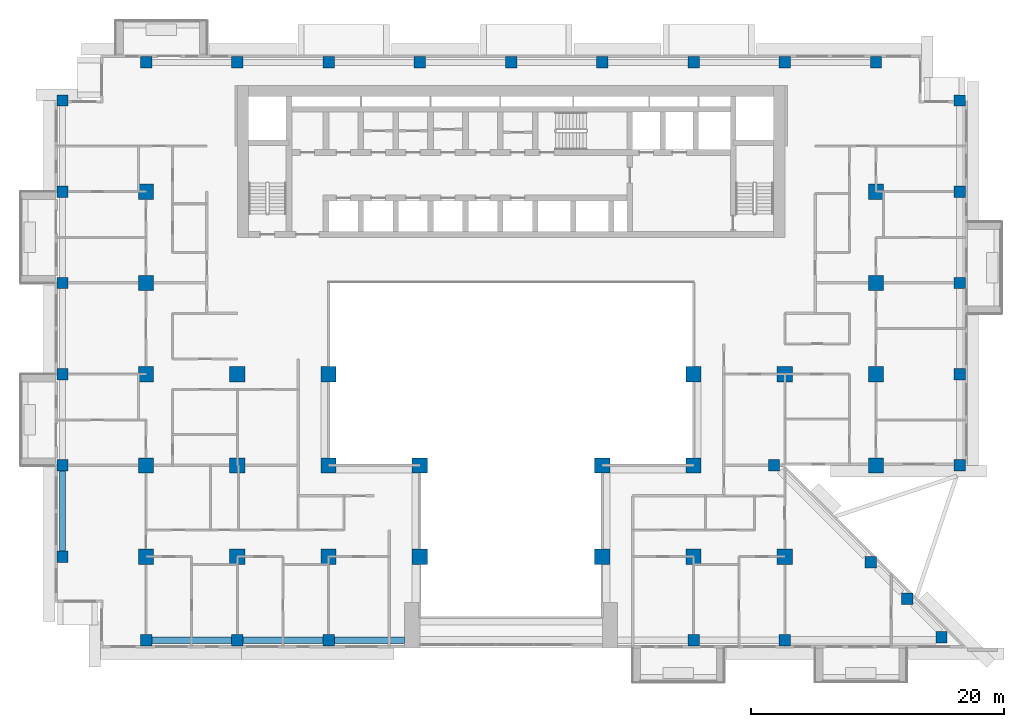
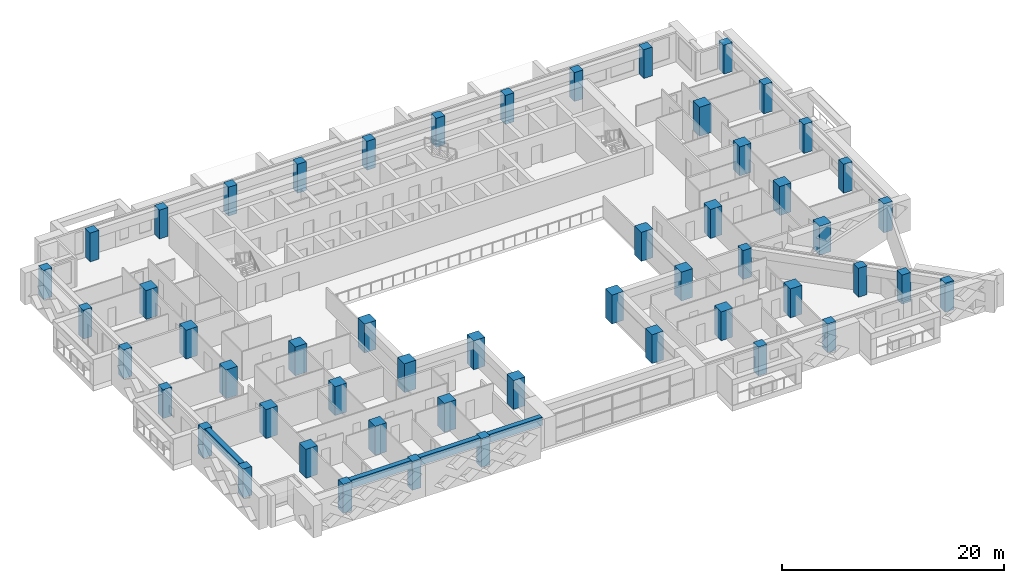
# One storey, part 1 of 17: 53 columns, 4 beams.
"""IFC4 building model written with IfcOpenShell, lengths in metres."""

from ifc_helpers import new_model, si_unit, direction, frame, origin, origin_2d, place, context, subcontext, project, spatial, rectangle, extrude, source, transform, mapped, material, material_profile, profile_set, type_object, element, save


model = new_model("IFC4")

# Units and contexts
model_context = context("Model", 3, precision=1e-05, world=origin(), true_north=direction((0.0, 1.0)))
body_context = subcontext(model_context, "Body", "Model", "MODEL_VIEW")
ifc_project = project(units=[si_unit("LENGTHUNIT", "METRE"), si_unit("AREAUNIT", "SQUARE_METRE"), si_unit("VOLUMEUNIT", "CUBIC_METRE"), si_unit("PLANEANGLEUNIT", "RADIAN"), si_unit("MASSUNIT", "GRAM", prefix="KILO")], contexts=[model_context])

# Site, building, storey
site_placement = place(None, origin())
site = spatial("IfcSite", under=ifc_project, at=site_placement, CompositionType="ELEMENT")
building_placement = place(site_placement, origin())
building = spatial("IfcBuilding", under=site, at=building_placement, Name="Saffron Iwan Residences", CompositionType="ELEMENT")
storey_placement = place(building_placement, frame((0.0, 0.0, 100.5)))
storey = spatial("IfcBuildingStorey", under=building, at=storey_placement, Name="L26", CompositionType="ELEMENT", Elevation=100.5)

# Columns
ifc_material = material(Name="Concrete C60/75", Category="concrete")
ifc_material_profile_1 = material_profile(ifc_material, rectangle(XDim=0.89990234375, YDim=0.89990234375, at=origin_2d()), Name="RC 900x900")
ifc_profile_set_1 = profile_set([ifc_material_profile_1], Name="Concrete C60/75")
column_type_1 = type_object("IfcColumnType", Name="COL RC 900x900 C60/75 3180 HIGH", PredefinedType="COLUMN", material=ifc_profile_set_1)
shared_shape_1 = source(origin(), body_context, "Body", "SweptSolid", [
    extrude(rectangle(XDim=0.89990234375, YDim=0.89990234375, at=origin_2d()), origin(), (0.0, 0.0, 1.0), 3.179931640625),
])
for number, where, z_axis, x_axis, name in (
    (1, (21.60009765625, 34.199951171875, 0.0), (0.0, 0.0, 1.0), (1.0, 0.0, 0.0), "Column C038"),
    (2, (28.800048828125, 34.199951171875, 0.0), (0.0, 0.0, 1.0), (1.0, 0.0, 0.0), "Column C039"),
    (3, (36.0, 34.199951171875, 0.0), (0.0, 0.0, 1.0), (1.0, 0.0, 0.0), "Column C040"),
    (4, (64.800048828125, 34.199951171875, 0.0), (0.0, 0.0, 1.0), (1.0, 0.0, 0.0), "Column C041"),
    (5, (72.0, 34.199951171875, 0.0), (0.0, 0.0, 1.0), (1.0, 0.0, 0.0), "Column C042"),
    (6, (84.367431640625, 34.44189453125, 0.0), (0.0, 0.0, 1.0), (1.0, 0.0, 0.0), "Column C043"),
    (7, (81.65576171875, 37.49560546875, 0.0), (0.0, 0.0, 1.0), (1.0, 0.0, 0.0), "Column C044"),
    (8, (78.775634765625, 40.375732421875, 0.0), (0.0, 0.0, 1.0), (1.0, 0.0, 0.0), "Column C047"),
    (9, (15.0, 40.800048828125, 0.0), (0.0, 0.0, 1.0), (1.0, 0.0, 0.0), "Column C048"),
    (10, (15.0, 48.0, 0.0), (0.0, 0.0, 1.0), (1.0, 0.0, 0.0), "Column C061"),
    (11, (71.14990234375, 48.0, 0.0), (0.0, 0.0, 1.0), (1.0, 0.0, 0.0), "Column C070"),
    (12, (85.800048828125, 48.0, 0.0), (0.0, 0.0, 1.0), (1.0, 0.0, 0.0), "Column C074"),
    (13, (15.0, 55.199951171875, 0.0), (0.0, 0.0, 1.0), (1.0, 0.0, 0.0), "Column C077"),
    (14, (85.800048828125, 55.199951171875, 0.0), (0.0, 0.0, 1.0), (1.0, 0.0, 0.0), "Column C086"),
    (15, (15.0, 62.39990234375, 0.0), (0.0, 0.0, 1.0), (1.0, 0.0, 0.0), "Column C089"),
    (16, (85.800048828125, 62.39990234375, 0.0), (0.0, 0.0, 1.0), (1.0, 0.0, 0.0), "Column C094"),
    (17, (15.0, 69.60009765625, 0.0), (0.0, 0.0, 1.0), (1.0, 0.0, 0.0), "Column C097"),
    (18, (85.800048828125, 69.60009765625, 0.0), (0.0, 0.0, 1.0), (1.0, 0.0, 0.0), "Column C102"),
    (19, (15.0, 76.800048828125, 0.0), (0.0, 0.0, 1.0), (1.0, 0.0, 0.0), "Column C105"),
    (20, (85.800048828125, 76.800048828125, 0.0), (0.0, 0.0, 1.0), (1.0, 0.0, 0.0), "Column C110"),
    (21, (21.60009765625, 79.800048828125, 0.0), (0.0, 0.0, 1.0), (1.0, 0.0, 0.0), "Column C113"),
    (22, (28.800048828125, 79.800048828125, 0.0), (0.0, 0.0, 1.0), (1.0, 0.0, 0.0), "Column C115"),
    (23, (36.0, 79.800048828125, 0.0), (0.0, 0.0, 1.0), (1.0, 0.0, 0.0), "Column C116"),
    (24, (43.199951171875, 79.800048828125, 0.0), (0.0, 0.0, 1.0), (1.0, 0.0, 0.0), "Column C117"),
    (25, (50.39990234375, 79.800048828125, 0.0), (0.0, 0.0, 1.0), (1.0, 0.0, 0.0), "Column C118"),
    (26, (57.60009765625, 79.800048828125, 0.0), (0.0, 0.0, 1.0), (1.0, 0.0, 0.0), "Column C119"),
    (27, (64.800048828125, 79.800048828125, 0.0), (0.0, 0.0, 1.0), (1.0, 0.0, 0.0), "Column C120"),
    (28, (72.0, 79.800048828125, 0.0), (0.0, 0.0, 1.0), (1.0, 0.0, 0.0), "Column C121"),
    (29, (79.199951171875, 79.800048828125, 0.0), (0.0, 0.0, 1.0), (1.0, 0.0, 0.0), "Column C123"),
):
    element("IfcColumn", number, at=place(storey_placement, frame(where, z_axis=z_axis, x_axis=x_axis)), inside=storey, type_object=column_type_1, Name=name, PredefinedType="COLUMN", context=body_context, shape_type="MappedRepresentation", body=[
        mapped(shared_shape_1, transform((0.0, 0.0, 0.0))),
    ])
ifc_material_profile_2 = material_profile(ifc_material, rectangle(XDim=1.199951171875, YDim=1.199951171875, at=origin_2d()), Name="RC 1200x1200")
ifc_profile_set_2 = profile_set([ifc_material_profile_2], Name="Concrete C60/75")
column_type_2 = type_object("IfcColumnType", Name="COL RC 1200x1200 C60/75 3180 HIGH", PredefinedType="COLUMN", material=ifc_profile_set_2)
shared_shape_2 = source(origin(), body_context, "Body", "SweptSolid", [
    extrude(rectangle(XDim=1.199951171875, YDim=1.199951171875, at=origin_2d()), origin(), (0.0, 0.0, 1.0), 3.179931640625),
])
for number, where, z_axis, x_axis, name in (
    (30, (21.60009765625, 40.800048828125, 0.0), (0.0, 0.0, 1.0), (1.0, 0.0, 0.0), "Column C049"),
    (31, (28.800048828125, 40.800048828125, 0.0), (0.0, 0.0, 1.0), (1.0, 0.0, 0.0), "Column C051"),
    (32, (36.0, 40.800048828125, 0.0), (0.0, 0.0, 1.0), (1.0, 0.0, 0.0), "Column C052"),
    (33, (43.199951171875, 40.800048828125, 0.0), (0.0, 0.0, 1.0), (1.0, 0.0, 0.0), "Column C053"),
    (34, (57.60009765625, 40.800048828125, 0.0), (0.0, 0.0, 1.0), (1.0, 0.0, 0.0), "Column C054"),
    (35, (64.800048828125, 40.800048828125, 0.0), (0.0, 0.0, 1.0), (1.0, 0.0, 0.0), "Column C055"),
    (36, (72.0, 40.800048828125, 0.0), (0.0, 0.0, 1.0), (1.0, 0.0, 0.0), "Column C056"),
    (37, (21.60009765625, 48.0, 0.0), (0.0, 0.0, 1.0), (1.0, 0.0, 0.0), "Column C063"),
    (38, (28.800048828125, 48.0, 0.0), (0.0, 0.0, 1.0), (1.0, 0.0, 0.0), "Column C064"),
    (39, (36.0, 48.0, 0.0), (0.0, 0.0, 1.0), (1.0, 0.0, 0.0), "Column C065"),
    (40, (43.199951171875, 48.0, 0.0), (0.0, 0.0, 1.0), (1.0, 0.0, 0.0), "Column C066"),
    (41, (57.60009765625, 48.0, 0.0), (0.0, 0.0, 1.0), (1.0, 0.0, 0.0), "Column C068"),
    (42, (64.800048828125, 48.0, 0.0), (0.0, 0.0, 1.0), (1.0, 0.0, 0.0), "Column C069"),
    (43, (79.199951171875, 48.0, 0.0), (0.0, 0.0, 1.0), (1.0, 0.0, 0.0), "Column C072"),
    (44, (21.60009765625, 55.199951171875, 0.0), (0.0, 0.0, 1.0), (1.0, 0.0, 0.0), "Column C079"),
    (45, (28.800048828125, 55.199951171875, 0.0), (0.0, 0.0, 1.0), (1.0, 0.0, 0.0), "Column C080"),
    (46, (36.0, 55.199951171875, 0.0), (0.0, 0.0, 1.0), (1.0, 0.0, 0.0), "Column C081"),
    (47, (64.800048828125, 55.199951171875, 0.0), (0.0, 0.0, 1.0), (1.0, 0.0, 0.0), "Column C082"),
    (48, (72.0, 55.199951171875, 0.0), (0.0, 0.0, 1.0), (1.0, 0.0, 0.0), "Column C083"),
    (49, (79.199951171875, 55.199951171875, 0.0), (0.0, 0.0, 1.0), (1.0, 0.0, 0.0), "Column C084"),
    (50, (21.60009765625, 62.39990234375, 0.0), (0.0, 0.0, 1.0), (1.0, 0.0, 0.0), "Column C091"),
    (51, (79.199951171875, 62.39990234375, 0.0), (0.0, 0.0, 1.0), (1.0, 0.0, 0.0), "Column C092"),
    (52, (21.60009765625, 69.60009765625, 0.0), (0.0, 0.0, 1.0), (1.0, 0.0, 0.0), "Column C099"),
    (53, (79.199951171875, 69.60009765625, 0.0), (0.0, 0.0, 1.0), (1.0, 0.0, 0.0), "Column C100"),
):
    element("IfcColumn", number, at=place(storey_placement, frame(where, z_axis=z_axis, x_axis=x_axis)), inside=storey, type_object=column_type_2, Name=name, PredefinedType="COLUMN", context=body_context, shape_type="MappedRepresentation", body=[
        mapped(shared_shape_2, transform((0.0, 0.0, 0.0))),
    ])

# Beams
ifc_material_profile_3 = material_profile(ifc_material, rectangle(XDim=0.5, YDim=0.89990234375, at=origin_2d()), Name="RC 500x900")
ifc_profile_set_3 = profile_set([ifc_material_profile_3], Name="Concrete C60/75")
beam_type = type_object("IfcBeamType", Name="SPANDREL BEAM RC 500x900 C60/75 TOP 3180", PredefinedType="SPANDREL", material=ifc_profile_set_3)
shared_shape_3 = source(origin(), body_context, "Body", "SweptSolid", [
    extrude(rectangle(XDim=0.5, YDim=0.89990234375, at=origin_2d()), origin(), (0.0, 0.0, 1.0), 6.300048828125),
])
for number, where, z_axis, x_axis, name in (
    (54, (28.35009765625, 34.199951171875, 2.72998046875), (-1.0, 0.0, 0.0), (0.0, -1.0, 0.0), "Spandrel beam"),
    (55, (35.550048828125, 34.199951171875, 2.72998046875), (-1.0, 0.0, 0.0), (0.0, -1.0, 0.0), "Spandrel beam"),
    (56, (15.0, 41.25, 2.72998046875), (0.0, 1.0, 0.0), (-1.0, 0.0, 0.0), "Spandrel beam"),
):
    element("IfcBeam", number, at=place(storey_placement, frame(where, z_axis=z_axis, x_axis=x_axis)), inside=storey, type_object=beam_type, Name=name, PredefinedType="SPANDREL", context=body_context, shape_type="MappedRepresentation", body=[
        mapped(shared_shape_3, transform((0.0, 0.0, 0.0))),
    ])
shared_shape_4 = source(origin(), body_context, "Body", "SweptSolid", [
    extrude(rectangle(XDim=0.5, YDim=0.89990234375, at=origin_2d()), origin(), (0.0, 0.0, 1.0), 5.550048828125),
])
beam_placement = place(storey_placement, frame((42.0, 34.199951171875, 2.72998046875), z_axis=(-1.0, 0.0, 0.0), x_axis=(0.0, -1.0, 0.0)))
element("IfcBeam", 57, at=beam_placement, inside=storey, type_object=beam_type, Name="Spandrel beam", PredefinedType="SPANDREL", context=body_context, shape_type="MappedRepresentation", body=[
    mapped(shared_shape_4, transform((0.0, 0.0, 0.0))),
])

save(model, "model.ifc")
